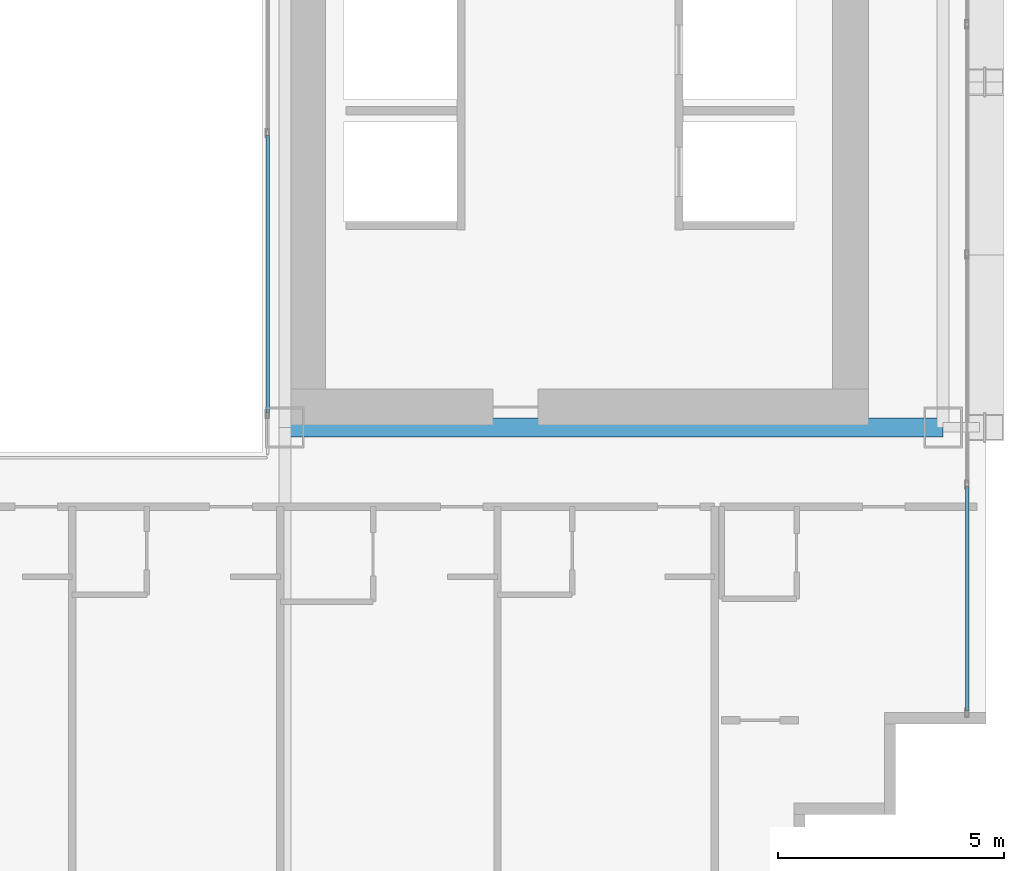
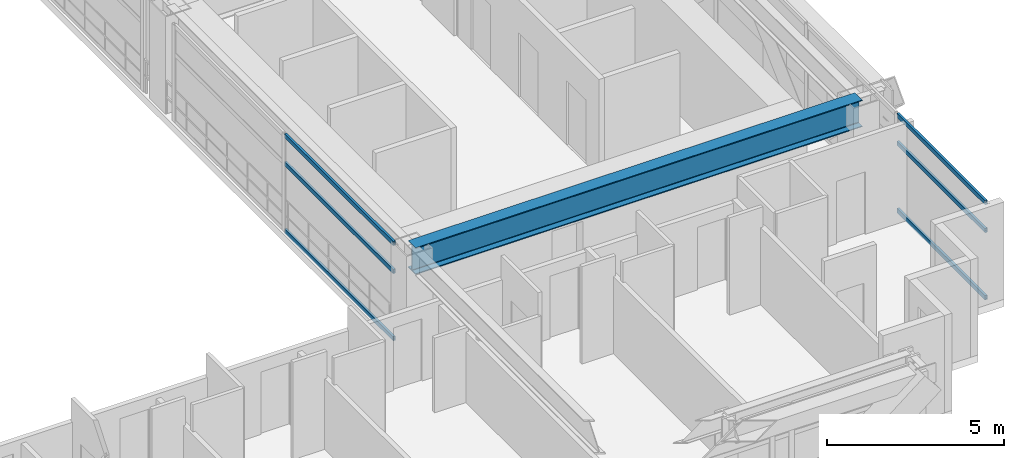
# One storey, part 13 of 41: 6 members, 1 beam, 2 elements without a shape of their own.
"""IFC4 building model written with IfcOpenShell, lengths in metres."""

import ifcopenshell
import ifcopenshell.guid

model = None  # the IFC model being written
_history = None  # IfcOwnerHistory: only IFC2X3 demands one
_inside = {}  # id of a spatial element -> (the spatial element, [elements in it])
_under = {}  # id of a project, library or spatial element -> (it, [spatial elements below it])
_declared = {}  # id of a project -> (the project, [libraries it declares])
_typed = {}  # id of a type object -> (the type object, [elements of that type])
_made_of = {}  # id of a material, layer set ... -> (it, [elements and type objects made of it])


def new_model(schema):
    """Start an empty IFC model of exactly this schema.

    Asked for "IFC4X3", IfcOpenShell would pick the latest addendum, in which some entities
    have other attributes; the version numbers below select the first issue.
    IFC2X3 requires an IfcOwnerHistory on every rooted entity: one is made here for all.
    """
    global model, _history
    if schema == "IFC4X3":
        model = ifcopenshell.file(schema_version=(4, 3, 0, 0))
    else:
        model = ifcopenshell.file(schema=schema)
    _inside.clear()
    _under.clear()
    _declared.clear()
    _typed.clear()
    _made_of.clear()
    _history = None
    if model.schema == "IFC2X3":
        org = make("IfcOrganization", Name="unknown")
        user = make(
            "IfcPersonAndOrganization",
            ThePerson=make("IfcPerson", FamilyName="unknown"),
            TheOrganization=org,
        )
        app = make(
            "IfcApplication",
            ApplicationDeveloper=org,
            Version="unknown",
            ApplicationFullName="unknown",
            ApplicationIdentifier="unknown",
        )
        _history = make(
            "IfcOwnerHistory",
            OwningUser=user,
            OwningApplication=app,
            ChangeAction="ADDED",
            CreationDate=0,
        )
    return model


def make(cls, **values):
    """One entity of the class cls with the attributes given. An attribute that is None is left unset."""
    return model.create_entity(
        cls, **{name: value for name, value in values.items() if value is not None}
    )


def rooted(cls, **values):
    """An entity with a GlobalId (a new one), such as an element, a storey or a relation."""
    return make(cls, GlobalId=ifcopenshell.guid.new(), OwnerHistory=_history, **values)


def si_unit(unit_type, name, prefix=None):
    """IfcSIUnit, for example si_unit("LENGTHUNIT", "METRE", prefix="MILLI")."""
    return make("IfcSIUnit", UnitType=unit_type, Prefix=prefix, Name=name)


def assignment(units):
    """IfcUnitAssignment: the units of a project."""
    return None if units is None else make("IfcUnitAssignment", Units=units)


def point(xyz):
    """IfcCartesianPoint."""
    return None if xyz is None else make("IfcCartesianPoint", Coordinates=xyz)


def direction(xyz):
    """IfcDirection."""
    return None if xyz is None else make("IfcDirection", DirectionRatios=xyz)


def frame(location, z_axis=None, x_axis=None):
    """IfcAxis2Placement3D, a coordinate frame: its origin and axes. An axis left out is left unset."""
    return make(
        "IfcAxis2Placement3D",
        Location=point(location),
        Axis=direction(z_axis),
        RefDirection=direction(x_axis),
    )


def frame_2d(location, x_axis=None):
    """IfcAxis2Placement2D, a coordinate frame in the plane: its origin and x axis."""
    return make(
        "IfcAxis2Placement2D", Location=point(location), RefDirection=direction(x_axis)
    )


def origin():
    """The frame at (0, 0, 0) with its axes left unset."""
    return frame((0.0, 0.0, 0.0))


def origin_2d():
    """The frame at (0, 0) in the plane with its x axis left unset."""
    return frame_2d((0.0, 0.0))


def place(relative_to, where):
    """IfcLocalPlacement: puts the frame where relative to a parent placement (None: the world)."""
    return make(
        "IfcLocalPlacement", PlacementRelTo=relative_to, RelativePlacement=where
    )


def context(
    kind, dimensions, precision=None, world=None, true_north=None, identifier=None
):
    """IfcGeometricRepresentationContext, for example the 3D "Model" context."""
    return make(
        "IfcGeometricRepresentationContext",
        ContextIdentifier=identifier,
        ContextType=kind,
        CoordinateSpaceDimension=dimensions,
        Precision=precision,
        WorldCoordinateSystem=world,
        TrueNorth=true_north,
    )


def subcontext(parent, identifier, kind, view, scale=None):
    """IfcGeometricRepresentationSubContext, for example "Body" below "Model"."""
    return make(
        "IfcGeometricRepresentationSubContext",
        ContextIdentifier=identifier,
        ContextType=kind,
        ParentContext=parent,
        TargetScale=scale,
        TargetView=view,
    )


def project(units=None, contexts=None):
    """IfcProject with its units and contexts."""
    return rooted(
        "IfcProject",
        Name="project",
        RepresentationContexts=contexts,
        UnitsInContext=assignment(units),
    )


def spatial(cls, under=None, at=None, **own):
    """A site, building, storey or space (cls), placed at a placement, below another one or the project."""
    s = rooted(cls, ObjectPlacement=at, **own)
    if under is not None:
        _under.setdefault(under.id(), (under, []))[1].append(s)
    return s


def profile(cls, at=None, kind="AREA", **sizes):
    """A parametric profile (cls). Its sizes go by their IFC names, for example OverallWidth=200.0."""
    return make(cls, ProfileType=kind, Position=at, **sizes)


def hollow_rectangle(**sizes):
    """IfcRectangleHollowProfileDef."""
    return profile("IfcRectangleHollowProfileDef", **sizes)


def i_section(**sizes):
    """IfcIShapeProfileDef."""
    return profile("IfcIShapeProfileDef", **sizes)


def extrude(swept, where, along, depth):
    """IfcExtrudedAreaSolid: the profile swept, set in the frame where, extruded along a direction by depth."""
    return make(
        "IfcExtrudedAreaSolid",
        SweptArea=swept,
        Position=where,
        ExtrudedDirection=direction(along),
        Depth=depth,
    )


def shape(context_of_items, identifier, shape_type, items):
    """IfcShapeRepresentation: the items that make up one representation, for example the "Body"."""
    return make(
        "IfcShapeRepresentation",
        ContextOfItems=context_of_items,
        RepresentationIdentifier=identifier,
        RepresentationType=shape_type,
        Items=items,
    )


def source(mapping_origin, context_of_items, identifier, shape_type, items):
    """IfcRepresentationMap: a shape defined once, which mapped items show again and again."""
    return make(
        "IfcRepresentationMap",
        MappingOrigin=mapping_origin,
        MappedRepresentation=shape(context_of_items, identifier, shape_type, items),
    )


def transform(
    local_origin,
    x_axis=None,
    y_axis=None,
    z_axis=None,
    scale=None,
    scale2=None,
    scale3=None,
    uniform=True,
):
    """IfcCartesianTransformationOperator3D, or its non-uniform kind. x_axis, y_axis, z_axis: its Axis1, 2, 3."""
    if uniform:
        return make(
            "IfcCartesianTransformationOperator3D",
            Axis1=direction(x_axis),
            Axis2=direction(y_axis),
            LocalOrigin=point(local_origin),
            Scale=scale,
            Axis3=direction(z_axis),
        )
    return make(
        "IfcCartesianTransformationOperator3DnonUniform",
        Axis1=direction(x_axis),
        Axis2=direction(y_axis),
        LocalOrigin=point(local_origin),
        Scale=scale,
        Axis3=direction(z_axis),
        Scale2=scale2,
        Scale3=scale3,
    )


def mapped(mapping_source, mapping_target):
    """IfcMappedItem: shows the shape of a source again, moved by a transform."""
    return make(
        "IfcMappedItem", MappingSource=mapping_source, MappingTarget=mapping_target
    )


def material(Name=None, Category=None):
    """IfcMaterial."""
    return make("IfcMaterial", Name=Name, Category=Category)


def layer(
    of_material, thickness, ventilated=None, Name=None, Category=None, Priority=None
):
    """IfcMaterialLayer: one layer of a wall or slab, of a material (None: an air gap)."""
    return make(
        "IfcMaterialLayer",
        Material=of_material,
        LayerThickness=thickness,
        IsVentilated=ventilated,
        Name=Name,
        Category=Category,
        Priority=Priority,
    )


def layer_set(layers, Name=None):
    """IfcMaterialLayerSet."""
    return make("IfcMaterialLayerSet", MaterialLayers=layers, LayerSetName=Name)


def material_profile(
    of_material, cross_section, Name=None, Category=None, Priority=None
):
    """IfcMaterialProfile: a cross section and its material."""
    return make(
        "IfcMaterialProfile",
        Name=Name,
        Material=of_material,
        Profile=cross_section,
        Priority=Priority,
        Category=Category,
    )


def profile_set(profiles, Name=None, composite=None):
    """IfcMaterialProfileSet."""
    return make(
        "IfcMaterialProfileSet",
        Name=Name,
        MaterialProfiles=profiles,
        CompositeProfile=composite,
    )


def made_of(thing, what):
    """Note that an element or type object is made of a material, layer set ...; save() writes the relation."""
    if what is not None:
        _made_of.setdefault(what.id(), (what, []))[1].append(thing)
    return thing


def type_object(cls, material=None, **own):
    """A type object (cls), such as IfcWallType, which elements share."""
    return made_of(rooted(cls, **own), material)


def element(
    cls,
    number,
    at=None,
    inside=None,
    cuts=None,
    type_object=None,
    material=None,
    context=None,
    identifier="Body",
    shape_type=None,
    held_by="IfcProductDefinitionShape",
    body=None,
    shapes=None,
    **own,
):
    """One element of the class cls, such as IfcWall. Its Tag is "e" and its number.

    at: its placement. inside: the storey or other place that contains it. cuts: it is an
    opening in that element (IfcRelVoidsElement). A single representation is given by context,
    identifier, shape_type and body (its items); several are given by shapes. held_by: the class
    of the entity that holds the representations. save() writes the other relations.
    """
    e = rooted(cls, Tag="e%d" % number, ObjectPlacement=at, **own)
    if body is not None:
        shapes = [shape(context, identifier, shape_type, body)]
    if shapes is not None:
        e.Representation = make(held_by, Representations=shapes)
    if inside is not None:
        _inside.setdefault(inside.id(), (inside, []))[1].append(e)
    if cuts is not None:
        rooted(
            "IfcRelVoidsElement", RelatingBuildingElement=cuts, RelatedOpeningElement=e
        )
    if type_object is not None:
        _typed.setdefault(type_object.id(), (type_object, []))[1].append(e)
    return made_of(e, material)


def aggregate(whole, parts):
    """IfcRelAggregates: a whole, such as a stair, and the parts it consists of."""
    return rooted("IfcRelAggregates", RelatingObject=whole, RelatedObjects=parts)


def save(model, path):
    """Write the relations noted so far, then the file.

    IfcRelAggregates (storeys below a building ...), IfcRelContainedInSpatialStructure (elements
    in a storey), IfcRelDefinesByType, IfcRelAssociatesMaterial and IfcRelDeclares: one each for
    every whole, place, type object, material and project.
    """
    for whole, parts in _under.values():
        aggregate(whole, parts)
    for where, things in _inside.values():
        rooted(
            "IfcRelContainedInSpatialStructure",
            RelatedElements=things,
            RelatingStructure=where,
        )
    for kind, things in _typed.values():
        rooted("IfcRelDefinesByType", RelatedObjects=things, RelatingType=kind)
    for what, things in _made_of.values():
        rooted("IfcRelAssociatesMaterial", RelatedObjects=things, RelatingMaterial=what)
    for by, libraries in _declared.values():
        rooted("IfcRelDeclares", RelatingContext=by, RelatedDefinitions=libraries)
    model.write(path)


model = new_model("IFC4")

# Units and contexts
model_context = context("Model", 3, precision=1e-05, world=origin(), true_north=direction((0.0, 1.0)))
body_context = subcontext(model_context, "Body", "Model", "MODEL_VIEW")
ifc_project = project(units=[si_unit("LENGTHUNIT", "METRE"), si_unit("AREAUNIT", "SQUARE_METRE"), si_unit("VOLUMEUNIT", "CUBIC_METRE"), si_unit("PLANEANGLEUNIT", "RADIAN"), si_unit("MASSUNIT", "GRAM", prefix="KILO")], contexts=[model_context])

# Site, building, storey
site_placement = place(None, origin())
site = spatial("IfcSite", under=ifc_project, at=site_placement, CompositionType="ELEMENT")
building_placement = place(site_placement, origin())
building = spatial("IfcBuilding", under=site, at=building_placement, Name="Ocotamira Hotel", CompositionType="ELEMENT")
storey_placement = place(building_placement, frame((0.0, 0.0, 38.39990234375)))
storey = spatial("IfcBuildingStorey", under=building, at=storey_placement, Name="L08", CompositionType="ELEMENT", Elevation=38.39990234375)

# Beam
ifc_material_1 = material(Name="Steel ASTM A992 Grade 50", Category="steel")
ifc_material_profile_1 = material_profile(ifc_material_1, i_section(OverallWidth=0.41796875, OverallDepth=0.927001953125, WebThickness=0.019287109375, FlangeThickness=0.031982421875, FilletRadius=0.02392578125, at=origin_2d()), Name="W36X231")
ifc_profile_set_1 = profile_set([ifc_material_profile_1], Name="Steel ASTM A992 Grade 50")
beam_type = type_object("IfcBeamType", Name="BM-GIRD-W36X231", PredefinedType="BEAM", material=ifc_profile_set_1)
shared_shape_1 = source(origin(), body_context, "Body", "SweptSolid", [
    extrude(i_section(OverallWidth=0.41796875, OverallDepth=0.927001953125, WebThickness=0.019287109375, FlangeThickness=0.031982421875, FilletRadius=0.02392578125, at=origin_2d()), origin(), (0.0, 0.0, 1.0), 14.550048828125),
])
beam_placement = place(storey_placement, frame((40.5, 14.550048828125, 2.88671875), z_axis=(1.0, 0.0, 0.0), x_axis=(0.0, 1.0, 0.0)))
element("IfcBeam", 1, at=beam_placement, inside=storey, type_object=beam_type, Name="L08 Girder Y14.55 X40.5-55.05", PredefinedType="BEAM", context=body_context, shape_type="MappedRepresentation", body=[
    mapped(shared_shape_1, transform((0.0, 0.0, 0.0), scale=1.0)),
])

# Curtain wall, members
ifc_material_2 = material(Name="Anodised pale-metal aluminium and solar glass", Category="aluminium")
ifc_layer_1 = layer(ifc_material_2, 0.179931640625)
ifc_layer_set_1 = layer_set([ifc_layer_1], Name="Anodised pale-metal aluminium and solar glass")
curtain_wall_type_1 = type_object("IfcCurtainWallType", Name="CW-SYS2-Z1", PredefinedType="NOTDEFINED", material=ifc_layer_set_1)
curtain_wall_1_placement = place(storey_placement, origin())
curtain_wall_1 = element("IfcCurtainWall", 2, at=curtain_wall_1_placement, inside=storey, type_object=curtain_wall_type_1, Name="L08 Curtain Wall CW-2 CW-L08-E", PredefinedType="NOTDEFINED")
ifc_material_3 = material(Name="Anodised pale-metal aluminium 6063-T6", Category="aluminium")
ifc_material_profile_2 = material_profile(ifc_material_3, hollow_rectangle(XDim=0.074951171875, YDim=0.14990234375, WallThickness=0.006103515625, at=origin_2d()), Name="HSS150X75X6")
ifc_profile_set_2 = profile_set([ifc_material_profile_2], Name="Anodised pale-metal aluminium 6063-T6")
member_type = type_object("IfcMemberType", Name="CWT-150X75", PredefinedType="USERDEFINED", material=ifc_profile_set_2)
shared_shape_2 = source(origin(), body_context, "Body", "SweptSolid", [
    extrude(hollow_rectangle(XDim=0.074951171875, YDim=0.14990234375, WallThickness=0.006103515625, at=origin_2d()), origin(), (0.0, 0.0, 1.0), 4.965576171875),
])
member_1_placement = place(storey_placement, frame((55.580078125, 8.280029296875, 0.03759765625), z_axis=(0.0, 1.0, 0.0), x_axis=(-1.0, 0.0, 0.0)))
member_1 = element("IfcMember", 3, at=member_1_placement, type_object=member_type, Name="CW-2 transom 1.1", ObjectType="TRANSOM", PredefinedType="USERDEFINED", context=body_context, shape_type="MappedRepresentation", body=[
    mapped(shared_shape_2, transform((0.0, 0.0, 0.0), scale=1.0)),
])
member_2_placement = place(storey_placement, frame((55.580078125, 8.280029296875, 2.35009765625), z_axis=(0.0, 1.0, 0.0), x_axis=(-1.0, 0.0, 0.0)))
member_2 = element("IfcMember", 4, at=member_2_placement, type_object=member_type, Name="CW-2 transom 1.2", ObjectType="TRANSOM", PredefinedType="USERDEFINED", context=body_context, shape_type="MappedRepresentation", body=[
    mapped(shared_shape_2, transform((0.0, 0.0, 0.0), scale=1.0)),
])
member_3_placement = place(storey_placement, frame((55.580078125, 8.280029296875, 3.3125), z_axis=(0.0, 1.0, 0.0), x_axis=(-1.0, 0.0, 0.0)))
member_3 = element("IfcMember", 5, at=member_3_placement, type_object=member_type, Name="CW-2 transom 1.3", ObjectType="TRANSOM", PredefinedType="USERDEFINED", context=body_context, shape_type="MappedRepresentation", body=[
    mapped(shared_shape_2, transform((0.0, 0.0, 0.0), scale=1.0)),
])
aggregate(curtain_wall_1, [member_1, member_2, member_3])

ifc_layer_2 = layer(ifc_material_2, 0.159912109375)
ifc_layer_set_2 = layer_set([ifc_layer_2], Name="Anodised pale-metal aluminium and solar glass")
curtain_wall_type_2 = type_object("IfcCurtainWallType", Name="CW-SYS6-ATR", PredefinedType="NOTDEFINED", material=ifc_layer_set_2)
curtain_wall_2_placement = place(storey_placement, origin())
curtain_wall_2 = element("IfcCurtainWall", 6, at=curtain_wall_2_placement, inside=storey, type_object=curtain_wall_type_2, Name="L08 Curtain Wall CW-6 CW-L08-ATRE1", PredefinedType="NOTDEFINED")
shared_shape_3 = source(origin(), body_context, "Body", "SweptSolid", [
    extrude(hollow_rectangle(XDim=0.074951171875, YDim=0.14990234375, WallThickness=0.006103515625, at=origin_2d()), origin(), (0.0, 0.0, 1.0), 6.130126953125),
])
member_4_placement = place(storey_placement, frame((40.1201171875, 14.8798828125, 0.03759765625), z_axis=(0.0, 1.0, 0.0), x_axis=(-1.0, 0.0, 0.0)))
member_4 = element("IfcMember", 7, at=member_4_placement, type_object=member_type, Name="CW-6 transom 1.1", ObjectType="TRANSOM", PredefinedType="USERDEFINED", context=body_context, shape_type="MappedRepresentation", body=[
    mapped(shared_shape_3, transform((0.0, 0.0, 0.0), scale=1.0)),
])
member_5_placement = place(storey_placement, frame((40.1201171875, 14.8798828125, 2.35009765625), z_axis=(0.0, 1.0, 0.0), x_axis=(-1.0, 0.0, 0.0)))
member_5 = element("IfcMember", 8, at=member_5_placement, type_object=member_type, Name="CW-6 transom 1.2", ObjectType="TRANSOM", PredefinedType="USERDEFINED", context=body_context, shape_type="MappedRepresentation", body=[
    mapped(shared_shape_3, transform((0.0, 0.0, 0.0), scale=1.0)),
])
member_6_placement = place(storey_placement, frame((40.1201171875, 14.8798828125, 3.3125), z_axis=(0.0, 1.0, 0.0), x_axis=(-1.0, 0.0, 0.0)))
member_6 = element("IfcMember", 9, at=member_6_placement, type_object=member_type, Name="CW-6 transom 1.3", ObjectType="TRANSOM", PredefinedType="USERDEFINED", context=body_context, shape_type="MappedRepresentation", body=[
    mapped(shared_shape_3, transform((0.0, 0.0, 0.0), scale=1.0)),
])
aggregate(curtain_wall_2, [member_4, member_5, member_6])

save(model, "model.ifc")
